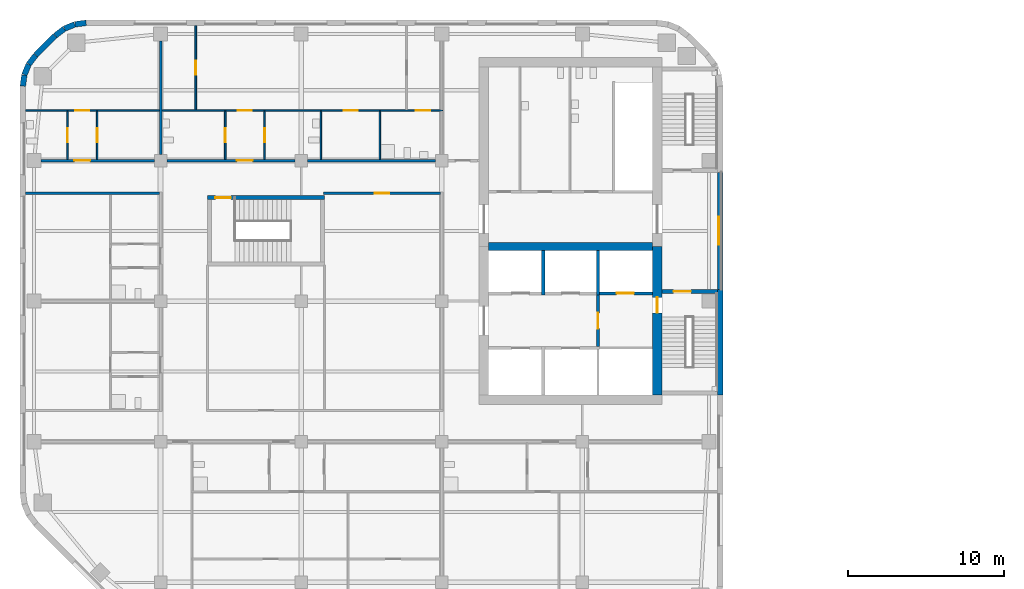
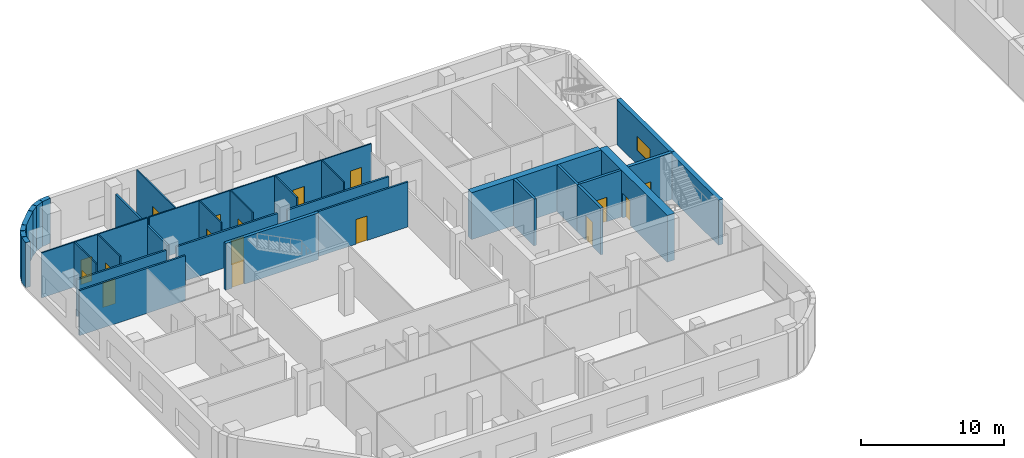
# One storey, part 7 of 16: 32 walls, 17 doors, 1 window, 18 openings.
"""IFC4 building model written with IfcOpenShell, lengths in metres."""

from ifc_helpers import new_model, si_unit, direction, frame, frame_2d, origin, place, context, subcontext, project, spatial, rectangle, extrude, material, layer, layer_set, type_object, element, fill, save


model = new_model("IFC4")

# Units and contexts
model_context = context("Model", 3, precision=1e-05, world=origin(), true_north=direction((0.0, 1.0)))
body_context = subcontext(model_context, "Body", "Model", "MODEL_VIEW")
ifc_project = project(units=[si_unit("LENGTHUNIT", "METRE"), si_unit("AREAUNIT", "SQUARE_METRE"), si_unit("VOLUMEUNIT", "CUBIC_METRE"), si_unit("PLANEANGLEUNIT", "RADIAN"), si_unit("MASSUNIT", "GRAM", prefix="KILO")], contexts=[model_context])

# Site, building, storey
site_placement = place(None, origin())
site = spatial("IfcSite", under=ifc_project, at=site_placement, CompositionType="ELEMENT")
building_placement = place(site_placement, origin())
building = spatial("IfcBuilding", under=site, at=building_placement, Name="Cinnabar Reach Civic Tower", CompositionType="ELEMENT")
storey_placement = place(building_placement, frame((0.0, 0.0, 38.0)))
storey = spatial("IfcBuildingStorey", under=building, at=storey_placement, Name="L08", CompositionType="ELEMENT", Elevation=38.0)

# Walls
ifc_material_1 = material(Name="Facing brick with insulated backing", Category="masonry")
ifc_layer_1 = layer(ifc_material_1, 0.36)
ifc_layer_set_1 = layer_set([ifc_layer_1], Name="Brick corner wall")
wall_type_1 = type_object("IfcWallType", Name="Brick corner wall", PredefinedType="STANDARD", material=ifc_layer_set_1)
for number, where, z_axis, x_axis, name in (
    (1, (-67.7686, 44.817, 0.0), (0.0, 0.0, 1.0), (-0.99144092581, -0.13055608231, 0.0), "Brick corner wall"),
    (2, (-68.4973, 44.7181, 0.0), (0.0, 0.0, 1.0), (-0.923871547278, -0.382702709855, 0.0), "Brick corner wall"),
):
    element("IfcWall", number, at=place(storey_placement, frame(where, z_axis=z_axis, x_axis=x_axis)), inside=storey, type_object=wall_type_1, Name=name, PredefinedType="STANDARD", context=body_context, shape_type="SweptSolid", body=[
        extrude(rectangle(XDim=0.7131, YDim=0.36, at=frame_2d((0.3565, 0.0))), origin(), (0.0, 0.0, 1.0), 3.85),
    ])
for number, where, z_axis, x_axis, name in (
    (3, (-69.1755, 44.434, 0.0), (0.0, 0.0, 1.0), (-0.793321924995, -0.608802368033, 0.0), "Brick corner wall"),
    (4, (-70.9998, 42.7413, 0.0), (0.0, 0.0, 1.0), (-0.608802368033, -0.793321924995, 0.0), "Brick corner wall"),
):
    element("IfcWall", number, at=place(storey_placement, frame(where, z_axis=z_axis, x_axis=x_axis)), inside=storey, type_object=wall_type_1, Name=name, PredefinedType="STANDARD", context=body_context, shape_type="SweptSolid", body=[
        extrude(rectangle(XDim=0.7132, YDim=0.36, at=frame_2d((0.3566, 0.0))), origin(), (0.0, 0.0, 1.0), 3.85),
    ])
for number, where, z_axis, x_axis, name in (
    (5, (-71.4452, 42.1561, 0.0), (0.0, 0.0, 1.0), (-0.382702709855, -0.923871547278, 0.0), "Brick corner wall"),
    (6, (-71.7239, 41.4756, 0.0), (0.0, 0.0, 1.0), (-0.13055608231, -0.99144092581, 0.0), "Brick corner wall"),
):
    element("IfcWall", number, at=place(storey_placement, frame(where, z_axis=z_axis, x_axis=x_axis)), inside=storey, type_object=wall_type_1, Name=name, PredefinedType="STANDARD", context=body_context, shape_type="SweptSolid", body=[
        extrude(rectangle(XDim=0.7131, YDim=0.36, at=frame_2d((0.3565, 0.0))), origin(), (0.0, 0.0, 1.0), 3.85),
    ])
ifc_layer_2 = layer(ifc_material_1, 0.36)
ifc_layer_set_2 = layer_set([ifc_layer_2], Name="Brick pier and spandrel wall")
wall_type_2 = type_object("IfcWallType", Name="Brick pier and spandrel wall", PredefinedType="STANDARD", material=ifc_layer_set_2)
wall_1_placement = place(storey_placement, frame((-27.18, 21.0, 0.0), z_axis=(0.0, 0.0, 1.0), x_axis=(0.0, 1.0, 0.0)))
element("IfcWall", 7, at=wall_1_placement, inside=storey, type_object=wall_type_2, Name="Brick facade wall", PredefinedType="STANDARD", context=body_context, shape_type="SweptSolid", body=[
    extrude(rectangle(XDim=6.75, YDim=0.36, at=frame_2d((3.375, 0.0))), origin(), (0.0, 0.0, 1.0), 3.85),
])

# Wall, opening, window
wall_2_placement = place(storey_placement, frame((-27.18, 27.75, 0.0), z_axis=(0.0, 0.0, 1.0), x_axis=(0.0, 1.0, 0.0)))
wall_2 = element("IfcWall", 8, at=wall_2_placement, inside=storey, type_object=wall_type_2, Name="Brick facade wall", PredefinedType="STANDARD", context=body_context, shape_type="SweptSolid", body=[
    extrude(rectangle(XDim=7.5, YDim=0.36, at=frame_2d((3.75, 0.0))), origin(), (0.0, 0.0, 1.0), 3.85),
])
opening_1_placement = place(wall_2_placement, frame((2.85, 0.0, 1.2)))
opening_1 = element("IfcOpeningElement", 9, at=opening_1_placement, cuts=wall_2, Name="Opening W2424", PredefinedType="OPENING", context=body_context, shape_type="SweptSolid", body=[
    extrude(rectangle(XDim=1.8, YDim=1.2, at=frame_2d((0.9, 0.6))), frame((0.0, 0.19, 0.0), z_axis=(0.0, -1.0, 0.0), x_axis=(1.0, 0.0, 0.0)), (0.0, 0.0, 1.0), 0.38),
])
ifc_material_2 = material(Name="Clear double glazing in aluminium frame", Category="aluminium")
window_type = type_object("IfcWindowType", Name="Deep-set window C", PartitioningType="SINGLE_PANEL", PredefinedType="WINDOW", material=ifc_material_2)
window_placement = place(opening_1_placement, origin())
window = element("IfcWindow", 10, at=window_placement, inside=storey, type_object=window_type, Name="Window east face", OverallHeight=1.2, OverallWidth=1.8, PartitioningType="SINGLE_PANEL", PredefinedType="WINDOW", context=body_context, shape_type="SweptSolid", body=[
    extrude(rectangle(XDim=1.8, YDim=1.2, at=frame_2d((0.9, 0.6))), frame((0.0, 0.13, 0.0), z_axis=(0.0, -1.0, 0.0), x_axis=(1.0, 0.0, 0.0)), (0.0, 0.0, 1.0), 0.06),
])
fill(opening_1, window)

# Walls
wall_3_placement = place(storey_placement, frame((-69.7514, 43.994, 0.0), z_axis=(0.0, 0.0, 1.0), x_axis=(-0.707106781187, -0.707106781187, 0.0)))
element("IfcWall", 11, at=wall_3_placement, inside=storey, type_object=wall_type_2, Name="Brick facade wall", PredefinedType="STANDARD", context=body_context, shape_type="SweptSolid", body=[
    extrude(rectangle(XDim=1.7573, YDim=0.36, at=frame_2d((0.8787, 0.0))), origin(), (0.0, 0.0, 1.0), 3.85),
])
ifc_material_3 = material(Name="Concrete C60", Category="concrete")
ifc_layer_3 = layer(ifc_material_3, 0.5)
ifc_layer_set_3 = layer_set([ifc_layer_3], Name="Core wall 500 EI 180")
wall_type_3 = type_object("IfcWallType", Name="Core wall 500 EI 180", PredefinedType="SOLIDWALL", material=ifc_layer_set_3)
wall_4_placement = place(storey_placement, frame((-42.0, 30.5, 0.0), z_axis=(0.0, 0.0, 1.0), x_axis=(1.0, 0.0, 0.0)))
element("IfcWall", 12, at=wall_4_placement, inside=storey, type_object=wall_type_3, Name="Core spine wall T2 L08", PredefinedType="SOLIDWALL", context=body_context, shape_type="SweptSolid", body=[
    extrude(rectangle(XDim=10.5, YDim=0.5, at=frame_2d((5.25, 0.0))), origin(), (0.0, 0.0, 1.0), 4.0),
])

# Wall, opening, door
ifc_material_4 = material(Name="Concrete C70", Category="concrete")
ifc_layer_4 = layer(ifc_material_4, 0.6)
ifc_layer_set_4 = layer_set([ifc_layer_4], Name="Core wall 600 EI 180")
wall_type_4 = type_object("IfcWallType", Name="Core wall 600 EI 180", PredefinedType="SOLIDWALL", material=ifc_layer_set_4)
wall_5_placement = place(storey_placement, frame((-31.2, 21.0, 0.0), z_axis=(0.0, 0.0, 1.0), x_axis=(0.0, 1.0, 0.0)))
wall_5 = element("IfcWall", 13, at=wall_5_placement, inside=storey, type_object=wall_type_4, Name="Core wall T2 L08 E", PredefinedType="SOLIDWALL", context=body_context, shape_type="SweptSolid", body=[
    extrude(rectangle(XDim=9.5, YDim=0.6, at=frame_2d((4.75, 0.0))), origin(), (0.0, 0.0, 1.0), 4.0),
])
opening_2_placement = place(wall_5_placement, frame((5.25, 0.0, 0.0)))
opening_2 = element("IfcOpeningElement", 14, at=opening_2_placement, cuts=wall_5, Name="Opening D6264", PredefinedType="OPENING", context=body_context, shape_type="SweptSolid", body=[
    extrude(rectangle(XDim=1.0, YDim=2.1, at=frame_2d((0.5, 1.05))), frame((0.0, 0.31, 0.0), z_axis=(0.0, -1.0, 0.0), x_axis=(1.0, 0.0, 0.0)), (0.0, 0.0, 1.0), 0.62),
])
ifc_material_5 = material(Name="Steel fire door", Category="steel")
door_type_1 = type_object("IfcDoorType", Name="T2 Firefighting lobby door 1000", OperationType="SINGLE_SWING_LEFT", PredefinedType="DOOR", material=ifc_material_5)
door_1_placement = place(opening_2_placement, frame((1.0, 0.0, 0.0), z_axis=(0.0, 0.0, 1.0), x_axis=(-1.0, 0.0, 0.0)))
door_1 = element("IfcDoor", 15, at=door_1_placement, inside=storey, type_object=door_type_1, Name="T2 Firefighting lobby door D6264", OperationType="SINGLE_SWING_LEFT", OverallHeight=2.1, OverallWidth=1.0, PredefinedType="DOOR", context=body_context, shape_type="SweptSolid", body=[
    extrude(rectangle(XDim=1.0, YDim=2.1, at=frame_2d((0.5, 1.05))), frame((0.0, 0.025, 0.0), z_axis=(0.0, -1.0, 0.0), x_axis=(1.0, 0.0, 0.0)), (0.0, 0.0, 1.0), 0.05),
])
fill(opening_2, door_1)

# Wall
ifc_material_6 = material(Name="Gypsum board on steel studs, double layer", Category="steel")
ifc_layer_5 = layer(ifc_material_6, 0.15)
ifc_layer_set_5 = layer_set([ifc_layer_5], Name="Corridor wall 150 T2")
wall_type_5 = type_object("IfcWallType", Name="Corridor wall 150 T2", PredefinedType="PARTITIONING", material=ifc_layer_set_5)
wall_6_placement = place(storey_placement, frame((-53.6, 36.0, 0.0), z_axis=(0.0, 0.0, 1.0), x_axis=(1.0, 0.0, 0.0)))
element("IfcWall", 16, at=wall_6_placement, inside=storey, type_object=wall_type_5, Name="Corridor wall 7", PredefinedType="PARTITIONING", context=body_context, shape_type="SweptSolid", body=[
    extrude(rectangle(XDim=8.2, YDim=0.15, at=frame_2d((4.1, 0.0))), origin(), (0.0, 0.0, 1.0), 3.15),
])

# Wall, opening, door
wall_7_placement = place(storey_placement, frame((-62.6, 36.0, 0.0), z_axis=(0.0, 0.0, 1.0), x_axis=(1.0, 0.0, 0.0)))
wall_7 = element("IfcWall", 17, at=wall_7_placement, inside=storey, type_object=wall_type_5, Name="Corridor wall 8", PredefinedType="PARTITIONING", context=body_context, shape_type="SweptSolid", body=[
    extrude(rectangle(XDim=8.2, YDim=0.15, at=frame_2d((4.1, 0.0))), origin(), (0.0, 0.0, 1.0), 3.15),
])
opening_3_placement = place(wall_7_placement, frame((4.49, 0.0, 0.0)))
opening_3 = element("IfcOpeningElement", 18, at=opening_3_placement, cuts=wall_7, Name="Opening D6300", PredefinedType="OPENING", context=body_context, shape_type="SweptSolid", body=[
    extrude(rectangle(XDim=1.0, YDim=2.1, at=frame_2d((0.5, 1.05))), frame((0.0, 0.085, 0.0), z_axis=(0.0, -1.0, 0.0), x_axis=(1.0, 0.0, 0.0)), (0.0, 0.0, 1.0), 0.17),
])
ifc_material_7 = material(Name="Timber door leaf in steel frame", Category="steel")
door_type_2 = type_object("IfcDoorType", Name="Tenancy entrance door 1000 x 2100 T2", OperationType="SINGLE_SWING_LEFT", PredefinedType="DOOR", material=ifc_material_7)
door_2_placement = place(opening_3_placement, origin())
door_2 = element("IfcDoor", 19, at=door_2_placement, inside=storey, type_object=door_type_2, Name="Door D6300", OperationType="SINGLE_SWING_RIGHT", OverallHeight=2.1, OverallWidth=1.0, PredefinedType="DOOR", context=body_context, shape_type="SweptSolid", body=[
    extrude(rectangle(XDim=1.0, YDim=2.1, at=frame_2d((0.5, 1.05))), frame((0.0, 0.025, 0.0), z_axis=(0.0, -1.0, 0.0), x_axis=(1.0, 0.0, 0.0)), (0.0, 0.0, 1.0), 0.05),
])
fill(opening_3, door_2)

wall_8_placement = place(storey_placement, frame((-70.65, 36.0, 0.0), z_axis=(0.0, 0.0, 1.0), x_axis=(1.0, 0.0, 0.0)))
wall_8 = element("IfcWall", 20, at=wall_8_placement, inside=storey, type_object=wall_type_5, Name="Corridor wall 9", PredefinedType="PARTITIONING", context=body_context, shape_type="SweptSolid", body=[
    extrude(rectangle(XDim=7.25, YDim=0.15, at=frame_2d((3.625, 0.0))), origin(), (0.0, 0.0, 1.0), 3.15),
])
opening_4_placement = place(wall_8_placement, frame((2.1384, 0.0, 0.0)))
opening_4 = element("IfcOpeningElement", 21, at=opening_4_placement, cuts=wall_8, Name="Opening D6292", PredefinedType="OPENING", context=body_context, shape_type="SweptSolid", body=[
    extrude(rectangle(XDim=1.0, YDim=2.1, at=frame_2d((0.5, 1.05))), frame((0.0, 0.085, 0.0), z_axis=(0.0, -1.0, 0.0), x_axis=(1.0, 0.0, 0.0)), (0.0, 0.0, 1.0), 0.17),
])
door_3_placement = place(opening_4_placement, origin())
door_3 = element("IfcDoor", 22, at=door_3_placement, inside=storey, type_object=door_type_2, Name="Door D6292", OperationType="SINGLE_SWING_RIGHT", OverallHeight=2.1, OverallWidth=1.0, PredefinedType="DOOR", context=body_context, shape_type="SweptSolid", body=[
    extrude(rectangle(XDim=1.0, YDim=2.1, at=frame_2d((0.5, 1.05))), frame((0.0, 0.025, 0.0), z_axis=(0.0, -1.0, 0.0), x_axis=(1.0, 0.0, 0.0)), (0.0, 0.0, 1.0), 0.05),
])
fill(opening_4, door_3)

# Wall
wall_9_placement = place(storey_placement, frame((-71.64, 33.9, 0.0), z_axis=(0.0, 0.0, 1.0), x_axis=(1.0, 0.0, 0.0)))
element("IfcWall", 23, at=wall_9_placement, inside=storey, type_object=wall_type_5, Name="Corridor wall 17", PredefinedType="PARTITIONING", context=body_context, shape_type="SweptSolid", body=[
    extrude(rectangle(XDim=8.565, YDim=0.15, at=frame_2d((4.2825, 0.0))), origin(), (0.0, 0.0, 1.0), 3.85),
])

# Wall, opening, door
wall_10_placement = place(storey_placement, frame((-52.575, 33.9, 0.0), z_axis=(0.0, 0.0, 1.0), x_axis=(1.0, 0.0, 0.0)))
wall_10 = element("IfcWall", 24, at=wall_10_placement, inside=storey, type_object=wall_type_5, Name="Corridor wall 18", PredefinedType="PARTITIONING", context=body_context, shape_type="SweptSolid", body=[
    extrude(rectangle(XDim=7.5, YDim=0.15, at=frame_2d((3.75, 0.0))), origin(), (0.0, 0.0, 1.0), 3.85),
])
opening_5_placement = place(wall_10_placement, frame((3.3, 0.0, 0.0)))
opening_5 = element("IfcOpeningElement", 25, at=opening_5_placement, cuts=wall_10, Name="Opening D6310", PredefinedType="OPENING", context=body_context, shape_type="SweptSolid", body=[
    extrude(rectangle(XDim=0.9, YDim=2.1, at=frame_2d((0.45, 1.05))), frame((0.0, 0.085, 0.0), z_axis=(0.0, -1.0, 0.0), x_axis=(1.0, 0.0, 0.0)), (0.0, 0.0, 1.0), 0.17),
])
door_type_3 = type_object("IfcDoorType", Name="Single swing door 900 x 2100 T2", OperationType="SINGLE_SWING_LEFT", PredefinedType="DOOR", material=ifc_material_7)
door_4_placement = place(opening_5_placement, frame((0.9, 0.0, 0.0), z_axis=(0.0, 0.0, 1.0), x_axis=(-1.0, 0.0, 0.0)))
door_4 = element("IfcDoor", 26, at=door_4_placement, inside=storey, type_object=door_type_3, Name="Door D6310", OperationType="SINGLE_SWING_LEFT", OverallHeight=2.1, OverallWidth=0.9, PredefinedType="DOOR", context=body_context, shape_type="SweptSolid", body=[
    extrude(rectangle(XDim=0.9, YDim=2.1, at=frame_2d((0.45, 1.05))), frame((0.0, 0.025, 0.0), z_axis=(0.0, -1.0, 0.0), x_axis=(1.0, 0.0, 0.0)), (0.0, 0.0, 1.0), 0.05),
])
fill(opening_5, door_4)

# Wall, openings, doors
ifc_material_8 = material(Name="Gypsum board on steel studs", Category="steel")
ifc_layer_6 = layer(ifc_material_8, 0.1)
ifc_layer_set_6 = layer_set([ifc_layer_6], Name="Partition wall 100 T2")
wall_type_6 = type_object("IfcWallType", Name="Partition wall 100 T2", PredefinedType="PARTITIONING", material=ifc_layer_set_6)
wall_11_placement = place(storey_placement, frame((-62.925, 39.2, 0.0), z_axis=(0.0, 0.0, 1.0), x_axis=(1.0, 0.0, 0.0)))
wall_11 = element("IfcWall", 27, at=wall_11_placement, inside=storey, type_object=wall_type_6, Name="Partition wall 25", PredefinedType="PARTITIONING", context=body_context, shape_type="SweptSolid", body=[
    extrude(rectangle(XDim=17.975, YDim=0.1, at=frame_2d((8.9875, 0.0))), origin(), (0.0, 0.0, 1.0), 3.85),
])
opening_6_placement = place(wall_11_placement, frame((11.635, 0.0, 0.0)))
opening_6 = element("IfcOpeningElement", 28, at=opening_6_placement, cuts=wall_11, Name="Opening D6295", PredefinedType="OPENING", context=body_context, shape_type="SweptSolid", body=[
    extrude(rectangle(XDim=0.9, YDim=2.1, at=frame_2d((0.45, 1.05))), frame((0.0, 0.06, 0.0), z_axis=(0.0, -1.0, 0.0), x_axis=(1.0, 0.0, 0.0)), (0.0, 0.0, 1.0), 0.12),
])
opening_7_placement = place(wall_11_placement, frame((4.865, 0.0, 0.0)))
opening_7 = element("IfcOpeningElement", 29, at=opening_7_placement, cuts=wall_11, Name="Opening D6296", PredefinedType="OPENING", context=body_context, shape_type="SweptSolid", body=[
    extrude(rectangle(XDim=0.9, YDim=2.1, at=frame_2d((0.45, 1.05))), frame((0.0, 0.06, 0.0), z_axis=(0.0, -1.0, 0.0), x_axis=(1.0, 0.0, 0.0)), (0.0, 0.0, 1.0), 0.12),
])
opening_8_placement = place(wall_11_placement, frame((16.275, 0.0, 0.0)))
opening_8 = element("IfcOpeningElement", 30, at=opening_8_placement, cuts=wall_11, Name="Opening D6299", PredefinedType="OPENING", context=body_context, shape_type="SweptSolid", body=[
    extrude(rectangle(XDim=0.9, YDim=2.1, at=frame_2d((0.45, 1.05))), frame((0.0, 0.06, 0.0), z_axis=(0.0, -1.0, 0.0), x_axis=(1.0, 0.0, 0.0)), (0.0, 0.0, 1.0), 0.12),
])
door_5_placement = place(opening_6_placement, frame((0.9, 0.0, 0.0), z_axis=(0.0, 0.0, 1.0), x_axis=(-1.0, 0.0, 0.0)))
door_5 = element("IfcDoor", 31, at=door_5_placement, inside=storey, type_object=door_type_3, Name="Door D6295", OperationType="SINGLE_SWING_RIGHT", OverallHeight=2.1, OverallWidth=0.9, PredefinedType="DOOR", context=body_context, shape_type="SweptSolid", body=[
    extrude(rectangle(XDim=0.9, YDim=2.1, at=frame_2d((0.45, 1.05))), frame((0.0, 0.025, 0.0), z_axis=(0.0, -1.0, 0.0), x_axis=(1.0, 0.0, 0.0)), (0.0, 0.0, 1.0), 0.05),
])
fill(opening_6, door_5)
door_6_placement = place(opening_7_placement, frame((0.9, 0.0, 0.0), z_axis=(0.0, 0.0, 1.0), x_axis=(-1.0, 0.0, 0.0)))
door_6 = element("IfcDoor", 32, at=door_6_placement, inside=storey, type_object=door_type_3, Name="Door D6296", OperationType="SINGLE_SWING_RIGHT", OverallHeight=2.1, OverallWidth=0.9, PredefinedType="DOOR", context=body_context, shape_type="SweptSolid", body=[
    extrude(rectangle(XDim=0.9, YDim=2.1, at=frame_2d((0.45, 1.05))), frame((0.0, 0.025, 0.0), z_axis=(0.0, -1.0, 0.0), x_axis=(1.0, 0.0, 0.0)), (0.0, 0.0, 1.0), 0.05),
])
fill(opening_7, door_6)
door_7_placement = place(opening_8_placement, origin())
door_7 = element("IfcDoor", 33, at=door_7_placement, inside=storey, type_object=door_type_3, Name="Door D6299", OperationType="SINGLE_SWING_LEFT", OverallHeight=2.1, OverallWidth=0.9, PredefinedType="DOOR", context=body_context, shape_type="SweptSolid", body=[
    extrude(rectangle(XDim=0.9, YDim=2.1, at=frame_2d((0.45, 1.05))), frame((0.0, 0.025, 0.0), z_axis=(0.0, -1.0, 0.0), x_axis=(1.0, 0.0, 0.0)), (0.0, 0.0, 1.0), 0.05),
])
fill(opening_8, door_7)

# Wall, opening, door
wall_12_placement = place(storey_placement, frame((-71.64, 39.2, 0.0), z_axis=(0.0, 0.0, 1.0), x_axis=(1.0, 0.0, 0.0)))
wall_12 = element("IfcWall", 34, at=wall_12_placement, inside=storey, type_object=wall_type_6, Name="Partition wall 26", PredefinedType="PARTITIONING", context=body_context, shape_type="SweptSolid", body=[
    extrude(rectangle(XDim=8.565, YDim=0.1, at=frame_2d((4.2825, 0.0))), origin(), (0.0, 0.0, 1.0), 3.85),
])
opening_9_placement = place(wall_12_placement, frame((3.1784, 0.0, 0.0)))
opening_9 = element("IfcOpeningElement", 35, at=opening_9_placement, cuts=wall_12, Name="Opening D6291", PredefinedType="OPENING", context=body_context, shape_type="SweptSolid", body=[
    extrude(rectangle(XDim=0.9, YDim=2.1, at=frame_2d((0.45, 1.05))), frame((0.0, 0.06, 0.0), z_axis=(0.0, -1.0, 0.0), x_axis=(1.0, 0.0, 0.0)), (0.0, 0.0, 1.0), 0.12),
])
door_8_placement = place(opening_9_placement, frame((0.9, 0.0, 0.0), z_axis=(0.0, 0.0, 1.0), x_axis=(-1.0, 0.0, 0.0)))
door_8 = element("IfcDoor", 36, at=door_8_placement, inside=storey, type_object=door_type_3, Name="Door D6291", OperationType="SINGLE_SWING_LEFT", OverallHeight=2.1, OverallWidth=0.9, PredefinedType="DOOR", context=body_context, shape_type="SweptSolid", body=[
    extrude(rectangle(XDim=0.9, YDim=2.1, at=frame_2d((0.45, 1.05))), frame((0.0, 0.025, 0.0), z_axis=(0.0, -1.0, 0.0), x_axis=(1.0, 0.0, 0.0)), (0.0, 0.0, 1.0), 0.05),
])
fill(opening_9, door_8)

wall_13_placement = place(storey_placement, frame((-60.75, 39.25, 0.0), z_axis=(0.0, 0.0, 1.0), x_axis=(0.0, 1.0, 0.0)))
wall_13 = element("IfcWall", 37, at=wall_13_placement, inside=storey, type_object=wall_type_6, Name="Partition wall 42", PredefinedType="PARTITIONING", context=body_context, shape_type="SweptSolid", body=[
    extrude(rectangle(XDim=5.39, YDim=0.1, at=frame_2d((2.695, 0.0))), origin(), (0.0, 0.0, 1.0), 3.85),
])
opening_10_placement = place(wall_13_placement, frame((2.25, 0.0, 0.0)))
opening_10 = element("IfcOpeningElement", 38, at=opening_10_placement, cuts=wall_13, Name="Opening D6297", PredefinedType="OPENING", context=body_context, shape_type="SweptSolid", body=[
    extrude(rectangle(XDim=0.9, YDim=2.1, at=frame_2d((0.45, 1.05))), frame((0.0, 0.06, 0.0), z_axis=(0.0, -1.0, 0.0), x_axis=(1.0, 0.0, 0.0)), (0.0, 0.0, 1.0), 0.12),
])
door_9_placement = place(opening_10_placement, origin())
door_9 = element("IfcDoor", 39, at=door_9_placement, inside=storey, type_object=door_type_3, Name="Door D6297", OperationType="SINGLE_SWING_RIGHT", OverallHeight=2.1, OverallWidth=0.9, PredefinedType="DOOR", context=body_context, shape_type="SweptSolid", body=[
    extrude(rectangle(XDim=0.9, YDim=2.1, at=frame_2d((0.45, 1.05))), frame((0.0, 0.025, 0.0), z_axis=(0.0, -1.0, 0.0), x_axis=(1.0, 0.0, 0.0)), (0.0, 0.0, 1.0), 0.05),
])
fill(opening_10, door_9)

wall_14_placement = place(storey_placement, frame((-68.9616, 36.075, 0.0), z_axis=(0.0, 0.0, 1.0), x_axis=(0.0, 1.0, 0.0)))
wall_14 = element("IfcWall", 40, at=wall_14_placement, inside=storey, type_object=wall_type_6, Name="Partition wall 48", PredefinedType="PARTITIONING", context=body_context, shape_type="SweptSolid", body=[
    extrude(rectangle(XDim=3.075, YDim=0.1, at=frame_2d((1.5375, 0.0))), origin(), (0.0, 0.0, 1.0), 3.85),
])
opening_11_placement = place(wall_14_placement, frame((1.1, 0.0, 0.0)))
opening_11 = element("IfcOpeningElement", 41, at=opening_11_placement, cuts=wall_14, Name="Opening D6289", PredefinedType="OPENING", context=body_context, shape_type="SweptSolid", body=[
    extrude(rectangle(XDim=0.9, YDim=2.1, at=frame_2d((0.45, 1.05))), frame((0.0, 0.06, 0.0), z_axis=(0.0, -1.0, 0.0), x_axis=(1.0, 0.0, 0.0)), (0.0, 0.0, 1.0), 0.12),
])
door_10_placement = place(opening_11_placement, origin())
door_10 = element("IfcDoor", 42, at=door_10_placement, inside=storey, type_object=door_type_3, Name="Door D6289", OperationType="SINGLE_SWING_LEFT", OverallHeight=2.1, OverallWidth=0.9, PredefinedType="DOOR", context=body_context, shape_type="SweptSolid", body=[
    extrude(rectangle(XDim=0.9, YDim=2.1, at=frame_2d((0.45, 1.05))), frame((0.0, 0.025, 0.0), z_axis=(0.0, -1.0, 0.0), x_axis=(1.0, 0.0, 0.0)), (0.0, 0.0, 1.0), 0.05),
])
fill(opening_11, door_10)

wall_15_placement = place(storey_placement, frame((-67.0608, 36.075, 0.0), z_axis=(0.0, 0.0, 1.0), x_axis=(0.0, 1.0, 0.0)))
wall_15 = element("IfcWall", 43, at=wall_15_placement, inside=storey, type_object=wall_type_6, Name="Partition wall 49", PredefinedType="PARTITIONING", context=body_context, shape_type="SweptSolid", body=[
    extrude(rectangle(XDim=3.075, YDim=0.1, at=frame_2d((1.5375, 0.0))), origin(), (0.0, 0.0, 1.0), 3.85),
])
opening_12_placement = place(wall_15_placement, frame((1.1, 0.0, 0.0)))
opening_12 = element("IfcOpeningElement", 44, at=opening_12_placement, cuts=wall_15, Name="Opening D6290", PredefinedType="OPENING", context=body_context, shape_type="SweptSolid", body=[
    extrude(rectangle(XDim=0.9, YDim=2.1, at=frame_2d((0.45, 1.05))), frame((0.0, 0.06, 0.0), z_axis=(0.0, -1.0, 0.0), x_axis=(1.0, 0.0, 0.0)), (0.0, 0.0, 1.0), 0.12),
])
door_11_placement = place(opening_12_placement, origin())
door_11 = element("IfcDoor", 45, at=door_11_placement, inside=storey, type_object=door_type_3, Name="Door D6290", OperationType="SINGLE_SWING_RIGHT", OverallHeight=2.1, OverallWidth=0.9, PredefinedType="DOOR", context=body_context, shape_type="SweptSolid", body=[
    extrude(rectangle(XDim=0.9, YDim=2.1, at=frame_2d((0.45, 1.05))), frame((0.0, 0.025, 0.0), z_axis=(0.0, -1.0, 0.0), x_axis=(1.0, 0.0, 0.0)), (0.0, 0.0, 1.0), 0.05),
])
fill(opening_12, door_11)

wall_16_placement = place(storey_placement, frame((-58.86, 36.075, 0.0), z_axis=(0.0, 0.0, 1.0), x_axis=(0.0, 1.0, 0.0)))
wall_16 = element("IfcWall", 46, at=wall_16_placement, inside=storey, type_object=wall_type_6, Name="Partition wall 50", PredefinedType="PARTITIONING", context=body_context, shape_type="SweptSolid", body=[
    extrude(rectangle(XDim=3.075, YDim=0.1, at=frame_2d((1.5375, 0.0))), origin(), (0.0, 0.0, 1.0), 3.85),
])
opening_13_placement = place(wall_16_placement, frame((1.1, 0.0, 0.0)))
opening_13 = element("IfcOpeningElement", 47, at=opening_13_placement, cuts=wall_16, Name="Opening D6293", PredefinedType="OPENING", context=body_context, shape_type="SweptSolid", body=[
    extrude(rectangle(XDim=0.9, YDim=2.1, at=frame_2d((0.45, 1.05))), frame((0.0, 0.06, 0.0), z_axis=(0.0, -1.0, 0.0), x_axis=(1.0, 0.0, 0.0)), (0.0, 0.0, 1.0), 0.12),
])
door_12_placement = place(opening_13_placement, origin())
door_12 = element("IfcDoor", 48, at=door_12_placement, inside=storey, type_object=door_type_3, Name="Door D6293", OperationType="SINGLE_SWING_LEFT", OverallHeight=2.1, OverallWidth=0.9, PredefinedType="DOOR", context=body_context, shape_type="SweptSolid", body=[
    extrude(rectangle(XDim=0.9, YDim=2.1, at=frame_2d((0.45, 1.05))), frame((0.0, 0.025, 0.0), z_axis=(0.0, -1.0, 0.0), x_axis=(1.0, 0.0, 0.0)), (0.0, 0.0, 1.0), 0.05),
])
fill(opening_13, door_12)

wall_17_placement = place(storey_placement, frame((-56.34, 36.075, 0.0), z_axis=(0.0, 0.0, 1.0), x_axis=(0.0, 1.0, 0.0)))
wall_17 = element("IfcWall", 49, at=wall_17_placement, inside=storey, type_object=wall_type_6, Name="Partition wall 51", PredefinedType="PARTITIONING", context=body_context, shape_type="SweptSolid", body=[
    extrude(rectangle(XDim=3.075, YDim=0.1, at=frame_2d((1.5375, 0.0))), origin(), (0.0, 0.0, 1.0), 3.85),
])
opening_14_placement = place(wall_17_placement, frame((1.1, 0.0, 0.0)))
opening_14 = element("IfcOpeningElement", 50, at=opening_14_placement, cuts=wall_17, Name="Opening D6294", PredefinedType="OPENING", context=body_context, shape_type="SweptSolid", body=[
    extrude(rectangle(XDim=0.9, YDim=2.1, at=frame_2d((0.45, 1.05))), frame((0.0, 0.06, 0.0), z_axis=(0.0, -1.0, 0.0), x_axis=(1.0, 0.0, 0.0)), (0.0, 0.0, 1.0), 0.12),
])
door_13_placement = place(opening_14_placement, frame((0.9, 0.0, 0.0), z_axis=(0.0, 0.0, 1.0), x_axis=(-1.0, 0.0, 0.0)))
door_13 = element("IfcDoor", 51, at=door_13_placement, inside=storey, type_object=door_type_3, Name="Door D6294", OperationType="SINGLE_SWING_RIGHT", OverallHeight=2.1, OverallWidth=0.9, PredefinedType="DOOR", context=body_context, shape_type="SweptSolid", body=[
    extrude(rectangle(XDim=0.9, YDim=2.1, at=frame_2d((0.45, 1.05))), frame((0.0, 0.025, 0.0), z_axis=(0.0, -1.0, 0.0), x_axis=(1.0, 0.0, 0.0)), (0.0, 0.0, 1.0), 0.05),
])
fill(opening_14, door_13)

# Walls
for number, where, z_axis, x_axis, name in (
    (52, (-52.74, 36.075, 0.0), (0.0, 0.0, 1.0), (0.0, 1.0, 0.0), "Partition wall 52"),
    (53, (-48.96, 36.075, 0.0), (0.0, 0.0, 1.0), (0.0, 1.0, 0.0), "Partition wall 53"),
):
    element("IfcWall", number, at=place(storey_placement, frame(where, z_axis=z_axis, x_axis=x_axis)), inside=storey, type_object=wall_type_6, Name=name, PredefinedType="PARTITIONING", context=body_context, shape_type="SweptSolid", body=[
        extrude(rectangle(XDim=3.075, YDim=0.1, at=frame_2d((1.5375, 0.0))), origin(), (0.0, 0.0, 1.0), 3.85),
    ])

# Wall, opening, door
ifc_layer_7 = layer(ifc_material_3, 0.25)
ifc_layer_set_7 = layer_set([ifc_layer_7], Name="Stair shaft wall 250 EI 120")
wall_type_7 = type_object("IfcWallType", Name="Stair shaft wall 250 EI 120", PredefinedType="SOLIDWALL", material=ifc_layer_set_7)
wall_18_placement = place(storey_placement, frame((-27.36, 27.625, 0.0), z_axis=(0.0, 0.0, 1.0), x_axis=(-1.0, 0.0, 0.0)))
wall_18 = element("IfcWall", 54, at=wall_18_placement, inside=storey, type_object=wall_type_7, Name="Stair shaft wall T2-S1 L08", PredefinedType="SOLIDWALL", context=body_context, shape_type="SweptSolid", body=[
    extrude(rectangle(XDim=3.54, YDim=0.25, at=frame_2d((1.77, 0.0))), origin(), (0.0, 0.0, 1.0), 4.0),
])
opening_15_placement = place(wall_18_placement, frame((1.69, 0.0, 0.0)))
opening_15 = element("IfcOpeningElement", 55, at=opening_15_placement, cuts=wall_18, Name="Opening D6265", PredefinedType="OPENING", context=body_context, shape_type="SweptSolid", body=[
    extrude(rectangle(XDim=1.1, YDim=2.1, at=frame_2d((0.55, 1.05))), frame((0.0, 0.135, 0.0), z_axis=(0.0, -1.0, 0.0), x_axis=(1.0, 0.0, 0.0)), (0.0, 0.0, 1.0), 0.27),
])
door_type_4 = type_object("IfcDoorType", Name="T2 Stair door 1100", OperationType="SINGLE_SWING_LEFT", PredefinedType="DOOR", material=ifc_material_5)
door_14_placement = place(opening_15_placement, origin())
door_14 = element("IfcDoor", 56, at=door_14_placement, inside=storey, type_object=door_type_4, Name="T2 Stair door D6265", OperationType="SINGLE_SWING_LEFT", OverallHeight=2.1, OverallWidth=1.1, PredefinedType="DOOR", context=body_context, shape_type="SweptSolid", body=[
    extrude(rectangle(XDim=1.1, YDim=2.1, at=frame_2d((0.55, 1.05))), frame((0.0, 0.025, 0.0), z_axis=(0.0, -1.0, 0.0), x_axis=(1.0, 0.0, 0.0)), (0.0, 0.0, 1.0), 0.05),
])
fill(opening_15, door_14)

wall_19_placement = place(storey_placement, frame((-52.5, 33.625, 0.0), z_axis=(0.0, 0.0, 1.0), x_axis=(-1.0, 0.0, 0.0)))
wall_19 = element("IfcWall", 57, at=wall_19_placement, inside=storey, type_object=wall_type_7, Name="Stair shaft wall T2-S3 L08", PredefinedType="SOLIDWALL", context=body_context, shape_type="SweptSolid", body=[
    extrude(rectangle(XDim=7.5, YDim=0.25, at=frame_2d((3.75, 0.0))), origin(), (0.0, 0.0, 1.0), 4.0),
])
opening_16_placement = place(wall_19_placement, frame((6.0, 0.0, 0.0)))
opening_16 = element("IfcOpeningElement", 58, at=opening_16_placement, cuts=wall_19, Name="Opening D6311", PredefinedType="OPENING", context=body_context, shape_type="SweptSolid", body=[
    extrude(rectangle(XDim=1.0, YDim=2.1, at=frame_2d((0.5, 1.05))), frame((0.0, 0.135, 0.0), z_axis=(0.0, -1.0, 0.0), x_axis=(1.0, 0.0, 0.0)), (0.0, 0.0, 1.0), 0.27),
])
door_type_5 = type_object("IfcDoorType", Name="Stair door 1000 x 2100 T2", OperationType="SINGLE_SWING_LEFT", PredefinedType="DOOR", material=ifc_material_7)
door_15_placement = place(opening_16_placement, origin())
door_15 = element("IfcDoor", 59, at=door_15_placement, inside=storey, type_object=door_type_5, Name="Door D6311", OperationType="SINGLE_SWING_RIGHT", OverallHeight=2.1, OverallWidth=1.0, PredefinedType="DOOR", context=body_context, shape_type="SweptSolid", body=[
    extrude(rectangle(XDim=1.0, YDim=2.1, at=frame_2d((0.5, 1.05))), frame((0.0, 0.025, 0.0), z_axis=(0.0, -1.0, 0.0), x_axis=(1.0, 0.0, 0.0)), (0.0, 0.0, 1.0), 0.05),
])
fill(opening_16, door_15)

# Walls
ifc_material_9 = material(Name="Concrete C40", Category="concrete")
ifc_layer_8 = layer(ifc_material_9, 0.2)
ifc_layer_set_8 = layer_set([ifc_layer_8], Name="T2 Shaft wall 200")
wall_type_8 = type_object("IfcWallType", Name="T2 Shaft wall 200", PredefinedType="SOLIDWALL", material=ifc_layer_set_8)
for number, where, z_axis, x_axis, name in (
    (60, (-38.5, 27.4, 0.0), (0.0, 0.0, 1.0), (0.0, 1.0, 0.0), "T2 Shaft wall L08 004"),
    (61, (-35.0, 27.4, 0.0), (0.0, 0.0, 1.0), (0.0, 1.0, 0.0), "T2 Shaft wall L08 006"),
):
    element("IfcWall", number, at=place(storey_placement, frame(where, z_axis=z_axis, x_axis=x_axis)), inside=storey, type_object=wall_type_8, Name=name, PredefinedType="SOLIDWALL", context=body_context, shape_type="SweptSolid", body=[
        extrude(rectangle(XDim=2.85, YDim=0.2, at=frame_2d((1.425, 0.0))), origin(), (0.0, 0.0, 1.0), 4.0),
    ])

# Wall, opening, door
wall_20_placement = place(storey_placement, frame((-34.9, 27.5, 0.0), z_axis=(0.0, 0.0, 1.0), x_axis=(1.0, 0.0, 0.0)))
wall_20 = element("IfcWall", 62, at=wall_20_placement, inside=storey, type_object=wall_type_8, Name="T2 Shaft wall L08 008", PredefinedType="SOLIDWALL", context=body_context, shape_type="SweptSolid", body=[
    extrude(rectangle(XDim=3.4, YDim=0.2, at=frame_2d((1.7, 0.0))), origin(), (0.0, 0.0, 1.0), 4.0),
])
opening_17_placement = place(wall_20_placement, frame((1.1, 0.0, 0.0)))
opening_17 = element("IfcOpeningElement", 63, at=opening_17_placement, cuts=wall_20, Name="Opening D6262", PredefinedType="OPENING", context=body_context, shape_type="SweptSolid", body=[
    extrude(rectangle(XDim=1.1, YDim=2.1, at=frame_2d((0.55, 1.05))), frame((0.0, 0.11, 0.0), z_axis=(0.0, -1.0, 0.0), x_axis=(1.0, 0.0, 0.0)), (0.0, 0.0, 1.0), 0.22),
])
door_type_6 = type_object("IfcDoorType", Name="T2 Firefighting lift landing door 1100", OperationType="SLIDING_TO_LEFT", PredefinedType="DOOR", material=ifc_material_5)
door_16_placement = place(opening_17_placement, origin())
door_16 = element("IfcDoor", 64, at=door_16_placement, inside=storey, type_object=door_type_6, Name="T2 Firefighting lift landing door D6262", OperationType="SLIDING_TO_LEFT", OverallHeight=2.1, OverallWidth=1.1, PredefinedType="DOOR", context=body_context, shape_type="SweptSolid", body=[
    extrude(rectangle(XDim=1.1, YDim=2.1, at=frame_2d((0.55, 1.05))), frame((0.0, 0.025, 0.0), z_axis=(0.0, -1.0, 0.0), x_axis=(1.0, 0.0, 0.0)), (0.0, 0.0, 1.0), 0.05),
])
fill(opening_17, door_16)

wall_21_placement = place(storey_placement, frame((-35.0, 24.1, 0.0), z_axis=(0.0, 0.0, 1.0), x_axis=(0.0, 1.0, 0.0)))
wall_21 = element("IfcWall", 65, at=wall_21_placement, inside=storey, type_object=wall_type_8, Name="T2 Shaft wall L08 009", PredefinedType="SOLIDWALL", context=body_context, shape_type="SweptSolid", body=[
    extrude(rectangle(XDim=3.3, YDim=0.2, at=frame_2d((1.65, 0.0))), origin(), (0.0, 0.0, 1.0), 4.0),
])
opening_18_placement = place(wall_21_placement, frame((1.15, 0.0, 0.0)))
opening_18 = element("IfcOpeningElement", 66, at=opening_18_placement, cuts=wall_21, Name="Opening D6263", PredefinedType="OPENING", context=body_context, shape_type="SweptSolid", body=[
    extrude(rectangle(XDim=1.0, YDim=2.1, at=frame_2d((0.5, 1.05))), frame((0.0, 0.11, 0.0), z_axis=(0.0, -1.0, 0.0), x_axis=(1.0, 0.0, 0.0)), (0.0, 0.0, 1.0), 0.22),
])
door_17_placement = place(opening_18_placement, origin())
door_17 = element("IfcDoor", 67, at=door_17_placement, inside=storey, type_object=door_type_1, Name="T2 Firefighting lobby door D6263", OperationType="SINGLE_SWING_RIGHT", OverallHeight=2.1, OverallWidth=1.0, PredefinedType="DOOR", context=body_context, shape_type="SweptSolid", body=[
    extrude(rectangle(XDim=1.0, YDim=2.1, at=frame_2d((0.5, 1.05))), frame((0.0, 0.025, 0.0), z_axis=(0.0, -1.0, 0.0), x_axis=(1.0, 0.0, 0.0)), (0.0, 0.0, 1.0), 0.05),
])
fill(opening_18, door_17)

# Wall
ifc_layer_9 = layer(ifc_material_6, 0.15)
ifc_layer_set_9 = layer_set([ifc_layer_9], Name="Tenancy separating wall 150 T2")
wall_type_9 = type_object("IfcWallType", Name="Tenancy separating wall 150 T2", PredefinedType="PARTITIONING", material=ifc_layer_set_9)
wall_22_placement = place(storey_placement, frame((-63.0, 36.4, 0.0), z_axis=(0.0, 0.0, 1.0), x_axis=(0.0, 1.0, 0.0)))
element("IfcWall", 68, at=wall_22_placement, inside=storey, type_object=wall_type_9, Name="Tenancy separating wall 22", PredefinedType="PARTITIONING", context=body_context, shape_type="SweptSolid", body=[
    extrude(rectangle(XDim=7.25, YDim=0.15, at=frame_2d((3.625, 0.0))), origin(), (0.0, 0.0, 1.0), 3.158),
])

save(model, "model.ifc")
